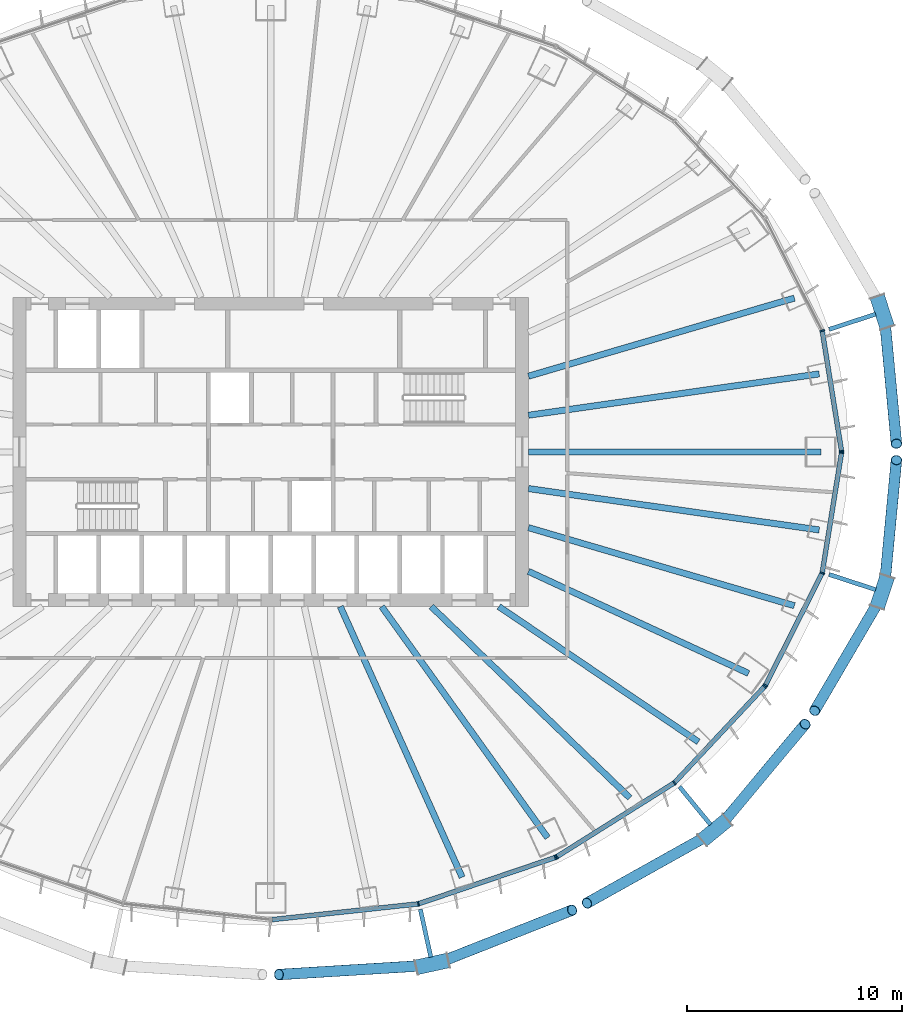
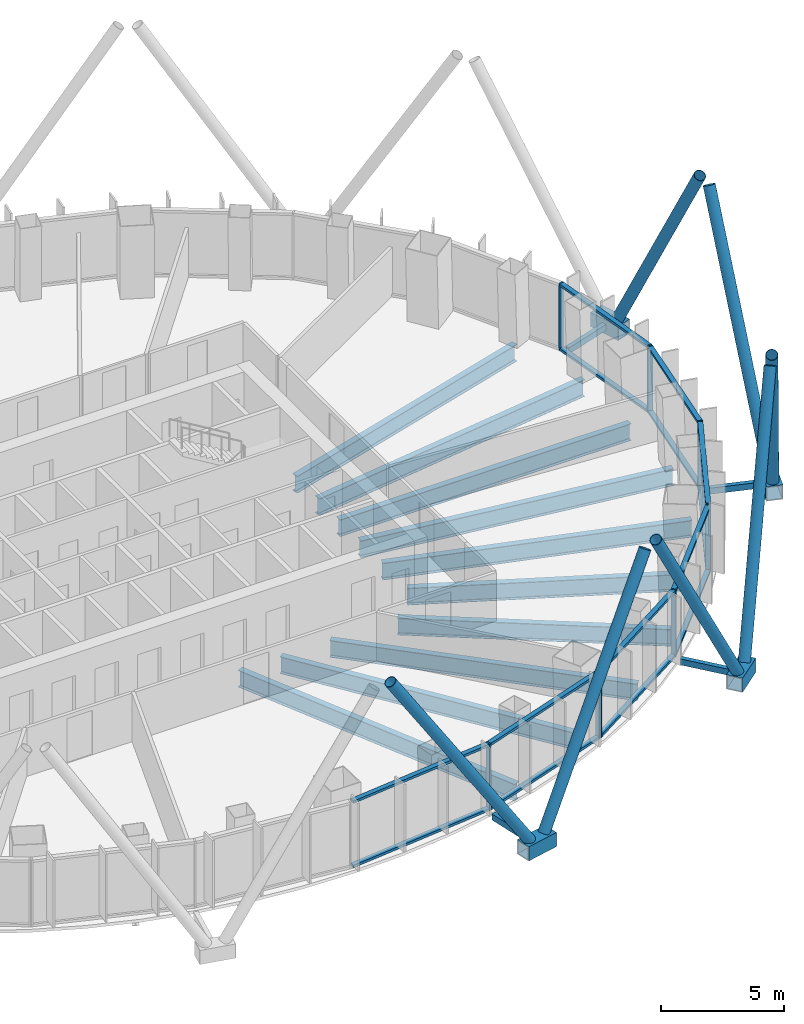
# One storey, part 4 of 18: 39 members, 10 beams, 4 elements without a shape of their own.
"""IFC4 building model written with IfcOpenShell, lengths in metres."""

from ifc_helpers import new_model, si_unit, direction, frame, origin, origin_2d, place, context, subcontext, project, spatial, rectangle, hollow_rectangle, hollow_circle, i_section, extrude, material, layer, layer_set, material_profile, profile_set, type_object, element, aggregate, save


model = new_model("IFC4")

# Units and contexts
model_context = context("Model", 3, precision=1e-05, world=origin(), true_north=direction((0.0, 1.0)))
body_context = subcontext(model_context, "Body", "Model", "MODEL_VIEW")
ifc_project = project(units=[si_unit("LENGTHUNIT", "METRE"), si_unit("AREAUNIT", "SQUARE_METRE"), si_unit("VOLUMEUNIT", "CUBIC_METRE"), si_unit("PLANEANGLEUNIT", "RADIAN"), si_unit("MASSUNIT", "GRAM", prefix="KILO")], contexts=[model_context])

# Site, building, storey
site_placement = place(None, origin())
site = spatial("IfcSite", under=ifc_project, at=site_placement, CompositionType="ELEMENT")
building_placement = place(site_placement, origin())
building = spatial("IfcBuilding", under=site, at=building_placement, Name="Siaravel Broadcast Tower", CompositionType="ELEMENT")
storey_placement = place(building_placement, frame((0.0, 0.0, 81.5)))
storey = spatial("IfcBuildingStorey", under=building, at=storey_placement, Name="L19", CompositionType="ELEMENT", Elevation=81.5)

# Beams
ifc_material_1 = material(Name="Steel S355", Category="steel")
ifc_material_profile_1 = material_profile(ifc_material_1, i_section(OverallWidth=0.291748046875, OverallDepth=0.8349609375, WebThickness=0.013916015625, FlangeThickness=0.018798828125, FilletRadius=0.017822265625, at=origin_2d()))
ifc_profile_set_1 = profile_set([ifc_material_profile_1], Name="Steel S355")
beam_type = type_object("IfcBeamType", Name="BM-UB 838x292x176", PredefinedType="BEAM", material=ifc_profile_set_1)
beam_1_placement = place(storey_placement, frame((25.62158203125, 0.0, -0.5673828125), z_axis=(-1.0, 0.0, 0.0), x_axis=(0.0, -1.0, 0.0)))
element("IfcBeam", 1, at=beam_1_placement, inside=storey, type_object=beam_type, Name="Radial beam RB01", PredefinedType="BEAM", context=body_context, shape_type="SweptSolid", body=[
    extrude(i_section(OverallWidth=0.291748046875, OverallDepth=0.8349609375, WebThickness=0.013916015625, FlangeThickness=0.018798828125, FilletRadius=0.017822265625, at=origin_2d()), origin(), (0.0, 0.0, 1.0), 13.62158203125),
])
beam_2_placement = place(storey_placement, frame((25.533447265625, 3.63232421875, -0.5673828125), z_axis=(-0.990031838, -0.140843741, 0.0), x_axis=(0.140843741, -0.990031838, 0.0)))
element("IfcBeam", 2, at=beam_2_placement, inside=storey, type_object=beam_type, Name="Radial beam RB02", PredefinedType="BEAM", context=body_context, shape_type="SweptSolid", body=[
    extrude(i_section(OverallWidth=0.291748046875, OverallDepth=0.8349609375, WebThickness=0.013916015625, FlangeThickness=0.018798828125, FilletRadius=0.017822265625, at=origin_2d()), origin(), (0.0, 0.0, 1.0), 13.669677734375),
])
beam_3_placement = place(storey_placement, frame((24.37890625, 7.161376953125, -0.5673828125), z_axis=(-0.959457352, -0.281853843, 0.0), x_axis=(0.281853843, -0.959457352, 0.0)))
element("IfcBeam", 3, at=beam_3_placement, inside=storey, type_object=beam_type, Name="Radial beam RB03", PredefinedType="BEAM", context=body_context, shape_type="SweptSolid", body=[
    extrude(i_section(OverallWidth=0.291748046875, OverallDepth=0.8349609375, WebThickness=0.013916015625, FlangeThickness=0.018798828125, FilletRadius=0.017822265625, at=origin_2d()), origin(), (0.0, 0.0, 1.0), 12.902099609375),
])
beam_4_placement = place(storey_placement, frame((8.91064453125, -19.80126953125, -0.5673828125), z_axis=(-0.41036835, 0.911919852, 0.0), x_axis=(-0.911919852, -0.41036835, 0.0)))
element("IfcBeam", 4, at=beam_4_placement, inside=storey, type_object=beam_type, Name="Radial beam RB30", PredefinedType="BEAM", context=body_context, shape_type="SweptSolid", body=[
    extrude(i_section(OverallWidth=0.291748046875, OverallDepth=0.8349609375, WebThickness=0.013916015625, FlangeThickness=0.018798828125, FilletRadius=0.017822265625, at=origin_2d()), origin(), (0.0, 0.0, 1.0), 13.818359375),
])
beam_5_placement = place(storey_placement, frame((12.890380859375, -17.961181640625, -0.5673828125), z_axis=(-0.583051778, 0.812434997, 0.0), x_axis=(-0.812434997, -0.583051778, 0.0)))
element("IfcBeam", 5, at=beam_5_placement, inside=storey, type_object=beam_type, Name="Radial beam RB31", PredefinedType="BEAM", context=body_context, shape_type="SweptSolid", body=[
    extrude(i_section(OverallWidth=0.291748046875, OverallDepth=0.8349609375, WebThickness=0.013916015625, FlangeThickness=0.018798828125, FilletRadius=0.017822265625, at=origin_2d()), origin(), (0.0, 0.0, 1.0), 13.24560546875),
])
beam_6_placement = place(storey_placement, frame((16.72314453125, -16.10791015625, -0.5673828125), z_axis=(-0.72022556, 0.693739968, 0.0), x_axis=(-0.693739968, -0.72022556, 0.0)))
element("IfcBeam", 6, at=beam_6_placement, inside=storey, type_object=beam_type, Name="Radial beam RB32", PredefinedType="BEAM", context=body_context, shape_type="SweptSolid", body=[
    extrude(i_section(OverallWidth=0.291748046875, OverallDepth=0.8349609375, WebThickness=0.013916015625, FlangeThickness=0.018798828125, FilletRadius=0.017822265625, at=origin_2d()), origin(), (0.0, 0.0, 1.0), 12.840576171875),
])
beam_7_placement = place(storey_placement, frame((19.910888671875, -13.496826171875, -0.5673828125), z_axis=(-0.827748229, 0.561099696, 0.0), x_axis=(-0.561099696, -0.827748229, 0.0)))
element("IfcBeam", 7, at=beam_7_placement, inside=storey, type_object=beam_type, Name="Radial beam RB33", PredefinedType="BEAM", context=body_context, shape_type="SweptSolid", body=[
    extrude(i_section(OverallWidth=0.291748046875, OverallDepth=0.8349609375, WebThickness=0.013916015625, FlangeThickness=0.018798828125, FilletRadius=0.017822265625, at=origin_2d()), origin(), (0.0, 0.0, 1.0), 11.222412109375),
])
beam_8_placement = place(storey_placement, frame((22.242431640625, -10.310302734375, -0.5673828125), z_axis=(-0.907266333, 0.420556537, 0.0), x_axis=(-0.420556537, -0.907266333, 0.0)))
element("IfcBeam", 8, at=beam_8_placement, inside=storey, type_object=beam_type, Name="Radial beam RB34", PredefinedType="BEAM", context=body_context, shape_type="SweptSolid", body=[
    extrude(i_section(OverallWidth=0.291748046875, OverallDepth=0.8349609375, WebThickness=0.013916015625, FlangeThickness=0.018798828125, FilletRadius=0.017822265625, at=origin_2d()), origin(), (0.0, 0.0, 1.0), 11.289306640625),
])
beam_9_placement = place(storey_placement, frame((24.37890625, -7.161376953125, -0.5673828125), z_axis=(-0.959457352, 0.281853843, 0.0), x_axis=(-0.281853843, -0.959457352, 0.0)))
element("IfcBeam", 9, at=beam_9_placement, inside=storey, type_object=beam_type, Name="Radial beam RB35", PredefinedType="BEAM", context=body_context, shape_type="SweptSolid", body=[
    extrude(i_section(OverallWidth=0.291748046875, OverallDepth=0.8349609375, WebThickness=0.013916015625, FlangeThickness=0.018798828125, FilletRadius=0.017822265625, at=origin_2d()), origin(), (0.0, 0.0, 1.0), 12.902099609375),
])
beam_10_placement = place(storey_placement, frame((25.533447265625, -3.63232421875, -0.5673828125), z_axis=(-0.990031838, 0.140843741, 0.0), x_axis=(-0.140843741, -0.990031838, 0.0)))
element("IfcBeam", 10, at=beam_10_placement, inside=storey, type_object=beam_type, Name="Radial beam RB36", PredefinedType="BEAM", context=body_context, shape_type="SweptSolid", body=[
    extrude(i_section(OverallWidth=0.291748046875, OverallDepth=0.8349609375, WebThickness=0.013916015625, FlangeThickness=0.018798828125, FilletRadius=0.017822265625, at=origin_2d()), origin(), (0.0, 0.0, 1.0), 13.669677734375),
])

# Curtain wall, members
ifc_material_2 = material(Name="Aluminium 6063-T6", Category="aluminium")
ifc_layer = layer(ifc_material_2, 0.219970703125)
ifc_layer_set = layer_set([ifc_layer], Name="Aluminium 6063-T6")
curtain_wall_type = type_object("IfcCurtainWallType", Name="Unitised curtain wall, zone 1", PredefinedType="NOTDEFINED", material=ifc_layer_set)
curtain_wall_1_placement = place(storey_placement, origin())
curtain_wall_1 = element("IfcCurtainWall", 11, at=curtain_wall_1_placement, inside=storey, type_object=curtain_wall_type, Name="L19 Unitised curtain wall, zone 1 01", PredefinedType="NOTDEFINED")
ifc_material_profile_2 = material_profile(ifc_material_2, rectangle(XDim=0.219970703125, YDim=0.070068359375, at=origin_2d()))
ifc_profile_set_2 = profile_set([ifc_material_profile_2], Name="Aluminium 6063-T6")
member_type_1 = type_object("IfcMemberType", Name="CW-Z1 mullion", PredefinedType="MULLION", material=ifc_profile_set_2)
member_1_placement = place(storey_placement, frame((26.57373046875, 0.03466796875, 0.0), z_axis=(0.0, 0.0, 1.0), x_axis=(-0.987329198, -0.158685394, 0.0)))
member_1 = element("IfcMember", 12, at=member_1_placement, type_object=member_type_1, Name="CW-Z1 mullion 1", PredefinedType="MULLION", context=body_context, shape_type="SweptSolid", body=[
    extrude(rectangle(XDim=0.219970703125, YDim=0.070068359375, at=origin_2d()), origin(), (0.0, 0.0, 1.0), 3.300048828125),
])
member_2_placement = place(storey_placement, frame((25.673095703125, 5.639892578125, 0.0), z_axis=(0.0, 0.0, 1.0), x_axis=(-0.951177293, -0.308645034, 0.0)))
member_2 = element("IfcMember", 13, at=member_2_placement, type_object=member_type_1, Name="CW-Z1 mullion 2", PredefinedType="MULLION", context=body_context, shape_type="SweptSolid", body=[
    extrude(rectangle(XDim=0.219970703125, YDim=0.070068359375, at=origin_2d()), origin(), (0.0, 0.0, 1.0), 3.300048828125),
])

curtain_wall_2_placement = place(storey_placement, origin())
curtain_wall_2 = element("IfcCurtainWall", 14, at=curtain_wall_2_placement, inside=storey, type_object=curtain_wall_type, Name="L19 Unitised curtain wall, zone 1 10", PredefinedType="NOTDEFINED")
member_3_placement = place(storey_placement, frame((6.876953125, -21.0390625, 0.0), z_axis=(0.0, 0.0, 1.0), x_axis=(-0.21555847, 0.976490935, 0.0)))
member_3 = element("IfcMember", 15, at=member_3_placement, type_object=member_type_1, Name="CW-Z1 mullion 2", PredefinedType="MULLION", context=body_context, shape_type="SweptSolid", body=[
    extrude(rectangle(XDim=0.219970703125, YDim=0.070068359375, at=origin_2d()), origin(), (0.0, 0.0, 1.0), 3.300048828125),
])
member_4_placement = place(storey_placement, frame((13.2529296875, -18.875732421875, 0.0), z_axis=(0.0, 0.0, 1.0), x_axis=(-0.321301192, 0.946977056, 0.0)))
member_4 = element("IfcMember", 16, at=member_4_placement, type_object=member_type_1, Name="CW-Z1 mullion 3", PredefinedType="MULLION", context=body_context, shape_type="SweptSolid", body=[
    extrude(rectangle(XDim=0.219970703125, YDim=0.070068359375, at=origin_2d()), origin(), (0.0, 0.0, 1.0), 3.300048828125),
])

curtain_wall_3_placement = place(storey_placement, origin())
curtain_wall_3 = element("IfcCurtainWall", 17, at=curtain_wall_3_placement, inside=storey, type_object=curtain_wall_type, Name="L19 Unitised curtain wall, zone 1 11", PredefinedType="NOTDEFINED")
member_5_placement = place(storey_placement, frame((13.315673828125, -18.845703125, 0.0), z_axis=(0.0, 0.0, 1.0), x_axis=(-0.532149888, 0.846650162, 0.0)))
member_5 = element("IfcMember", 18, at=member_5_placement, type_object=member_type_1, Name="CW-Z1 mullion 1", PredefinedType="MULLION", context=body_context, shape_type="SweptSolid", body=[
    extrude(rectangle(XDim=0.219970703125, YDim=0.070068359375, at=origin_2d()), origin(), (0.0, 0.0, 1.0), 3.300048828125),
])
member_6_placement = place(storey_placement, frame((18.790771484375, -15.404541015625, 0.0), z_axis=(0.0, 0.0, 1.0), x_axis=(-0.636219201, 0.771508346, 0.0)))
member_6 = element("IfcMember", 19, at=member_6_placement, type_object=member_type_1, Name="CW-Z1 mullion 2", PredefinedType="MULLION", context=body_context, shape_type="SweptSolid", body=[
    extrude(rectangle(XDim=0.219970703125, YDim=0.070068359375, at=origin_2d()), origin(), (0.0, 0.0, 1.0), 3.300048828125),
])
member_7_placement = place(storey_placement, frame((22.9921875, -10.919677734375, 0.0), z_axis=(0.0, 0.0, 1.0), x_axis=(-0.729805713, 0.683654607, 0.0)))
member_7 = element("IfcMember", 20, at=member_7_placement, type_object=member_type_1, Name="CW-Z1 mullion 3", PredefinedType="MULLION", context=body_context, shape_type="SweptSolid", body=[
    extrude(rectangle(XDim=0.219970703125, YDim=0.070068359375, at=origin_2d()), origin(), (0.0, 0.0, 1.0), 3.300048828125),
])

curtain_wall_4_placement = place(storey_placement, origin())
curtain_wall_4 = element("IfcCurtainWall", 21, at=curtain_wall_4_placement, inside=storey, type_object=curtain_wall_type, Name="L19 Unitised curtain wall, zone 1 12", PredefinedType="NOTDEFINED")
member_8_placement = place(storey_placement, frame((23.03173828125, -10.86279296875, 0.0), z_axis=(0.0, 0.0, 1.0), x_axis=(-0.892392264, 0.45126051, 0.0)))
member_8 = element("IfcMember", 22, at=member_8_placement, type_object=member_type_1, Name="CW-Z1 mullion 1", PredefinedType="MULLION", context=body_context, shape_type="SweptSolid", body=[
    extrude(rectangle(XDim=0.219970703125, YDim=0.070068359375, at=origin_2d()), origin(), (0.0, 0.0, 1.0), 3.300048828125),
])
member_9_placement = place(storey_placement, frame((25.673095703125, -5.639892578125, 0.0), z_axis=(0.0, 0.0, 1.0), x_axis=(-0.951177293, 0.308645034, 0.0)))
member_9 = element("IfcMember", 23, at=member_9_placement, type_object=member_type_1, Name="CW-Z1 mullion 2", PredefinedType="MULLION", context=body_context, shape_type="SweptSolid", body=[
    extrude(rectangle(XDim=0.219970703125, YDim=0.070068359375, at=origin_2d()), origin(), (0.0, 0.0, 1.0), 3.300048828125),
])
member_10_placement = place(storey_placement, frame((26.57373046875, -0.03466796875, 0.0), z_axis=(0.0, 0.0, 1.0), x_axis=(-0.987329198, 0.158685394, 0.0)))
member_10 = element("IfcMember", 24, at=member_10_placement, type_object=member_type_1, Name="CW-Z1 mullion 3", PredefinedType="MULLION", context=body_context, shape_type="SweptSolid", body=[
    extrude(rectangle(XDim=0.219970703125, YDim=0.070068359375, at=origin_2d()), origin(), (0.0, 0.0, 1.0), 3.300048828125),
])

# Member
ifc_material_profile_3 = material_profile(ifc_material_2, rectangle(XDim=0.219970703125, YDim=0.1201171875, at=origin_2d()))
ifc_profile_set_3 = profile_set([ifc_material_profile_3], Name="Aluminium 6063-T6")
member_type_2 = type_object("IfcMemberType", Name="CW-Z1 transom", PredefinedType="USERDEFINED", material=ifc_profile_set_3)
member_11_placement = place(storey_placement, frame((26.568359375, 0.069091796875, 0.06005859375), z_axis=(-0.158705381, 0.987325986, 0.0), x_axis=(-0.987325986, -0.158705381, 0.0)))
member_11 = element("IfcMember", 25, at=member_11_placement, type_object=member_type_2, Name="CW-Z1 transom 1", ObjectType="TRANSOM", PredefinedType="USERDEFINED", context=body_context, shape_type="SweptSolid", body=[
    extrude(rectangle(XDim=0.219970703125, YDim=0.1201171875, at=origin_2d()), origin(), (0.0, 0.0, 1.0), 5.607177734375),
])

member_12_placement = place(storey_placement, frame((26.568359375, 0.069091796875, 3.239990234375), z_axis=(-0.158705381, 0.987325986, 0.0), x_axis=(-0.987325986, -0.158705381, 0.0)))
member_12 = element("IfcMember", 26, at=member_12_placement, type_object=member_type_2, Name="CW-Z1 transom 1", ObjectType="TRANSOM", PredefinedType="USERDEFINED", context=body_context, shape_type="SweptSolid", body=[
    extrude(rectangle(XDim=0.219970703125, YDim=0.1201171875, at=origin_2d()), origin(), (0.0, 0.0, 1.0), 5.607177734375),
])

aggregate(curtain_wall_1, [member_1, member_2, member_11, member_12])

member_13_placement = place(storey_placement, frame((0.069580078125, -21.773193359375, 0.06005859375), z_axis=(0.994233929, 0.107232901, 0.0), x_axis=(-0.107232901, 0.994233929, 0.0)))
member_13 = element("IfcMember", 27, at=member_13_placement, type_object=member_type_2, Name="CW-Z1 transom 1", ObjectType="TRANSOM", PredefinedType="USERDEFINED", context=body_context, shape_type="SweptSolid", body=[
    extrude(rectangle(XDim=0.219970703125, YDim=0.1201171875, at=origin_2d()), origin(), (0.0, 0.0, 1.0), 6.81201171875),
])

member_14_placement = place(storey_placement, frame((0.069580078125, -21.773193359375, 3.239990234375), z_axis=(0.994233929, 0.107232901, 0.0), x_axis=(-0.107232901, 0.994233929, 0.0)))
member_14 = element("IfcMember", 28, at=member_14_placement, type_object=member_type_2, Name="CW-Z1 transom 1", ObjectType="TRANSOM", PredefinedType="USERDEFINED", context=body_context, shape_type="SweptSolid", body=[
    extrude(rectangle(XDim=0.219970703125, YDim=0.1201171875, at=origin_2d()), origin(), (0.0, 0.0, 1.0), 6.81201171875),
])

member_15_placement = place(storey_placement, frame((6.91015625, -21.027587890625, 0.06005859375), z_axis=(0.946984275, 0.321279915, 0.0), x_axis=(-0.321279915, 0.946984275, 0.0)))
member_15 = element("IfcMember", 29, at=member_15_placement, type_object=member_type_2, Name="CW-Z1 transom 2", ObjectType="TRANSOM", PredefinedType="USERDEFINED", context=body_context, shape_type="SweptSolid", body=[
    extrude(rectangle(XDim=0.219970703125, YDim=0.1201171875, at=origin_2d()), origin(), (0.0, 0.0, 1.0), 6.662841796875),
])

member_16_placement = place(storey_placement, frame((6.91015625, -21.027587890625, 3.239990234375), z_axis=(0.946984275, 0.321279915, 0.0), x_axis=(-0.321279915, 0.946984275, 0.0)))
member_16 = element("IfcMember", 30, at=member_16_placement, type_object=member_type_2, Name="CW-Z1 transom 2", ObjectType="TRANSOM", PredefinedType="USERDEFINED", context=body_context, shape_type="SweptSolid", body=[
    extrude(rectangle(XDim=0.219970703125, YDim=0.1201171875, at=origin_2d()), origin(), (0.0, 0.0, 1.0), 6.662841796875),
])

aggregate(curtain_wall_2, [member_3, member_4, member_13, member_14, member_15, member_16])

member_17_placement = place(storey_placement, frame((13.34521484375, -18.8271484375, 0.06005859375), z_axis=(0.846657675, 0.532137935, 0.0), x_axis=(-0.532137935, 0.846657675, 0.0)))
member_17 = element("IfcMember", 31, at=member_17_placement, type_object=member_type_2, Name="CW-Z1 transom 1", ObjectType="TRANSOM", PredefinedType="USERDEFINED", context=body_context, shape_type="SweptSolid", body=[
    extrude(rectangle(XDim=0.219970703125, YDim=0.1201171875, at=origin_2d()), origin(), (0.0, 0.0, 1.0), 6.39697265625),
])

member_18_placement = place(storey_placement, frame((13.34521484375, -18.8271484375, 3.239990234375), z_axis=(0.846657675, 0.532137935, 0.0), x_axis=(-0.532137935, 0.846657675, 0.0)))
member_18 = element("IfcMember", 32, at=member_18_placement, type_object=member_type_2, Name="CW-Z1 transom 1", ObjectType="TRANSOM", PredefinedType="USERDEFINED", context=body_context, shape_type="SweptSolid", body=[
    extrude(rectangle(XDim=0.219970703125, YDim=0.1201171875, at=origin_2d()), origin(), (0.0, 0.0, 1.0), 6.39697265625),
])

member_19_placement = place(storey_placement, frame((18.814697265625, -15.37890625, 0.06005859375), z_axis=(0.683663028, 0.729797824, 0.0), x_axis=(-0.729797824, 0.683663028, 0.0)))
member_19 = element("IfcMember", 33, at=member_19_placement, type_object=member_type_2, Name="CW-Z1 transom 2", ObjectType="TRANSOM", PredefinedType="USERDEFINED", context=body_context, shape_type="SweptSolid", body=[
    extrude(rectangle(XDim=0.219970703125, YDim=0.1201171875, at=origin_2d()), origin(), (0.0, 0.0, 1.0), 6.0751953125),
])

member_20_placement = place(storey_placement, frame((18.814697265625, -15.37890625, 3.239990234375), z_axis=(0.683663028, 0.729797824, 0.0), x_axis=(-0.729797824, 0.683663028, 0.0)))
member_20 = element("IfcMember", 34, at=member_20_placement, type_object=member_type_2, Name="CW-Z1 transom 2", ObjectType="TRANSOM", PredefinedType="USERDEFINED", context=body_context, shape_type="SweptSolid", body=[
    extrude(rectangle(XDim=0.219970703125, YDim=0.1201171875, at=origin_2d()), origin(), (0.0, 0.0, 1.0), 6.0751953125),
])

aggregate(curtain_wall_3, [member_5, member_6, member_7, member_17, member_18, member_19, member_20])

member_21_placement = place(storey_placement, frame((23.047607421875, -10.83154296875, 0.06005859375), z_axis=(0.451278877, 0.892382976, 0.0), x_axis=(-0.892382976, 0.451278877, 0.0)))
member_21 = element("IfcMember", 35, at=member_21_placement, type_object=member_type_2, Name="CW-Z1 transom 1", ObjectType="TRANSOM", PredefinedType="USERDEFINED", context=body_context, shape_type="SweptSolid", body=[
    extrude(rectangle(XDim=0.219970703125, YDim=0.1201171875, at=origin_2d()), origin(), (0.0, 0.0, 1.0), 5.78271484375),
])

member_22_placement = place(storey_placement, frame((23.047607421875, -10.83154296875, 3.239990234375), z_axis=(0.451278877, 0.892382976, 0.0), x_axis=(-0.892382976, 0.451278877, 0.0)))
member_22 = element("IfcMember", 36, at=member_22_placement, type_object=member_type_2, Name="CW-Z1 transom 1", ObjectType="TRANSOM", PredefinedType="USERDEFINED", context=body_context, shape_type="SweptSolid", body=[
    extrude(rectangle(XDim=0.219970703125, YDim=0.1201171875, at=origin_2d()), origin(), (0.0, 0.0, 1.0), 5.78271484375),
])

member_23_placement = place(storey_placement, frame((25.678466796875, -5.605224609375, 0.06005859375), z_axis=(0.158705381, 0.987325986, 0.0), x_axis=(-0.987325986, 0.158705381, 0.0)))
member_23 = element("IfcMember", 37, at=member_23_placement, type_object=member_type_2, Name="CW-Z1 transom 2", ObjectType="TRANSOM", PredefinedType="USERDEFINED", context=body_context, shape_type="SweptSolid", body=[
    extrude(rectangle(XDim=0.219970703125, YDim=0.1201171875, at=origin_2d()), origin(), (0.0, 0.0, 1.0), 5.607177734375),
])

member_24_placement = place(storey_placement, frame((25.678466796875, -5.605224609375, 3.239990234375), z_axis=(0.158705381, 0.987325986, 0.0), x_axis=(-0.987325986, 0.158705381, 0.0)))
member_24 = element("IfcMember", 38, at=member_24_placement, type_object=member_type_2, Name="CW-Z1 transom 2", ObjectType="TRANSOM", PredefinedType="USERDEFINED", context=body_context, shape_type="SweptSolid", body=[
    extrude(rectangle(XDim=0.219970703125, YDim=0.1201171875, at=origin_2d()), origin(), (0.0, 0.0, 1.0), 5.607177734375),
])

aggregate(curtain_wall_4, [member_8, member_9, member_10, member_21, member_22, member_23, member_24])

# Members
ifc_material_3 = material(Name="Steel S460", Category="steel")
ifc_material_profile_4 = material_profile(ifc_material_3, hollow_circle(Radius=0.25390625, WallThickness=0.02001953125, at=origin_2d()))
ifc_profile_set_4 = profile_set([ifc_material_profile_4], Name="Steel S460")
member_type_3 = type_object("IfcMemberType", Name="Diagrid diagonal CHS 508x20", PredefinedType="BRACE", material=ifc_profile_set_4)
member_25_placement = place(storey_placement, frame((28.585693359375, 6.153564453125, 0.1201171875), z_axis=(0.045459037, -0.482780285, 0.874560845), x_axis=(0.995596123, 0.09374625, 0.0)))
element("IfcMember", 39, at=member_25_placement, inside=storey, type_object=member_type_3, Name="Diagrid diagonal R08 station 03C", PredefinedType="BRACE", context=body_context, shape_type="SweptSolid", body=[
    extrude(hollow_circle(Radius=0.25390625, WallThickness=0.02001953125, at=origin_2d()), origin(), (0.0, 0.0, 1.0), 11.960205078125),
])
member_26_placement = place(storey_placement, frame((7.152587890625, -23.9150390625, 0.1201171875), z_axis=(-0.543231205, -0.033326587, 0.838921448), x_axis=(0.061233685, -0.998123457, 0.0)))
element("IfcMember", 40, at=member_26_placement, inside=storey, type_object=member_type_3, Name="Diagrid diagonal R08 station 57C", PredefinedType="BRACE", context=body_context, shape_type="SweptSolid", body=[
    extrude(hollow_circle(Radius=0.25390625, WallThickness=0.02001953125, at=origin_2d()), origin(), (0.0, 0.0, 1.0), 12.46826171875),
])
member_27_placement = place(storey_placement, frame((7.893798828125, -23.75244140625, 0.1201171875), z_axis=(0.496402038, 0.195722202, 0.845740999), x_axis=(-0.366800108, 0.93029978, 0.0)))
element("IfcMember", 41, at=member_27_placement, inside=storey, type_object=member_type_3, Name="Diagrid diagonal R08 station 57A", PredefinedType="BRACE", context=body_context, shape_type="SweptSolid", body=[
    extrude(hollow_circle(Radius=0.25390625, WallThickness=0.02001953125, at=origin_2d()), origin(), (0.0, 0.0, 1.0), 12.367919921875),
])
member_28_placement = place(storey_placement, frame((20.384765625, -17.840087890625, 0.1201171875), z_axis=(-0.460228971, -0.257304605, 0.849696201), x_axis=(0.487991636, -0.872848305, 0.0)))
element("IfcMember", 42, at=member_28_placement, inside=storey, type_object=member_type_3, Name="Diagrid diagonal R08 station 63C", PredefinedType="BRACE", context=body_context, shape_type="SweptSolid", body=[
    extrude(hollow_circle(Radius=0.25390625, WallThickness=0.02001953125, at=origin_2d()), origin(), (0.0, 0.0, 1.0), 12.310302734375),
])
member_29_placement = place(storey_placement, frame((20.9716796875, -17.359375, 0.1201171875), z_axis=(0.322860874, 0.386949211, 0.863730956), x_axis=(-0.767827657, 0.640656451, 0.0)))
element("IfcMember", 43, at=member_29_placement, inside=storey, type_object=member_type_3, Name="Diagrid diagonal R08 station 63A", PredefinedType="BRACE", context=body_context, shape_type="SweptSolid", body=[
    extrude(hollow_circle(Radius=0.25390625, WallThickness=0.02001953125, at=origin_2d()), origin(), (0.0, 0.0, 1.0), 12.110107421875),
])
member_30_placement = place(storey_placement, frame((28.349609375, -6.874755859375, 0.1201171875), z_axis=(-0.251335725, -0.429420874, 0.867426116), x_axis=(0.863043025, -0.505130416, 0.0)))
element("IfcMember", 44, at=member_30_placement, inside=storey, type_object=member_type_3, Name="Diagrid diagonal R08 station 69C", PredefinedType="BRACE", context=body_context, shape_type="SweptSolid", body=[
    extrude(hollow_circle(Radius=0.25390625, WallThickness=0.02001953125, at=origin_2d()), origin(), (0.0, 0.0, 1.0), 12.05859375),
])
member_31_placement = place(storey_placement, frame((28.585693359375, -6.153564453125, 0.1201171875), z_axis=(0.045459037, 0.482780285, 0.874560845), x_axis=(-0.995596123, 0.09374625, 0.0)))
element("IfcMember", 45, at=member_31_placement, inside=storey, type_object=member_type_3, Name="Diagrid diagonal R08 station 69A", PredefinedType="BRACE", context=body_context, shape_type="SweptSolid", body=[
    extrude(hollow_circle(Radius=0.25390625, WallThickness=0.02001953125, at=origin_2d()), origin(), (0.0, 0.0, 1.0), 11.960205078125),
])
ifc_material_profile_5 = material_profile(ifc_material_3, hollow_rectangle(XDim=0.699951171875, YDim=0.699951171875, WallThickness=0.0400390625, at=origin_2d()))
ifc_profile_set_5 = profile_set([ifc_material_profile_5], Name="Steel S460")
member_type_4 = type_object("IfcMemberType", Name="Diagrid node BOX 700x700x40", PredefinedType="USERDEFINED", material=ifc_profile_set_5)
for number, where, z_axis, x_axis, name in (
    (46, (28.701904296875, 5.798095703125, -0.199951171875), (-0.31092464, 0.950434568, 0.0), (-0.950434568, -0.31092464, 0.0), "Diagrid node R08 station 03"),
    (47, (6.787109375, -23.9951171875, -0.199951171875), (0.976759236, 0.214339438, 0.0), (-0.214339438, 0.976759236, 0.0), "Diagrid node R08 station 57"),
):
    element("IfcMember", number, at=place(storey_placement, frame(where, z_axis=z_axis, x_axis=x_axis)), inside=storey, type_object=member_type_4, Name=name, ObjectType="DIAGRID NODE", PredefinedType="USERDEFINED", context=body_context, shape_type="SweptSolid", body=[
        extrude(hollow_rectangle(XDim=0.699951171875, YDim=0.699951171875, WallThickness=0.0400390625, at=origin_2d()), origin(), (0.0, 0.0, 1.0), 1.5068359375),
    ])
member_32_placement = place(storey_placement, frame((20.095458984375, -18.0771484375, -0.199951171875), z_axis=(0.773560079, 0.633722972, 0.0), x_axis=(-0.633722972, 0.773560079, 0.0)))
element("IfcMember", 48, at=member_32_placement, inside=storey, type_object=member_type_4, Name="Diagrid node R08 station 63", ObjectType="DIAGRID NODE", PredefinedType="USERDEFINED", context=body_context, shape_type="SweptSolid", body=[
    extrude(hollow_rectangle(XDim=0.699951171875, YDim=0.699951171875, WallThickness=0.0400390625, at=origin_2d()), origin(), (0.0, 0.0, 1.0), 1.506591796875),
])
member_33_placement = place(storey_placement, frame((28.2333984375, -7.230224609375, -0.199951171875), z_axis=(0.31092464, 0.950434568, 0.0), x_axis=(-0.950434568, 0.31092464, 0.0)))
element("IfcMember", 49, at=member_33_placement, inside=storey, type_object=member_type_4, Name="Diagrid node R08 station 69", ObjectType="DIAGRID NODE", PredefinedType="USERDEFINED", context=body_context, shape_type="SweptSolid", body=[
    extrude(hollow_rectangle(XDim=0.699951171875, YDim=0.699951171875, WallThickness=0.0400390625, at=origin_2d()), origin(), (0.0, 0.0, 1.0), 1.5068359375),
])
ifc_material_profile_6 = material_profile(ifc_material_3, hollow_rectangle(XDim=0.199951171875, YDim=0.300048828125, WallThickness=0.012451171875, at=origin_2d()))
ifc_profile_set_6 = profile_set([ifc_material_profile_6], Name="Steel S460")
member_type_5 = type_object("IfcMemberType", Name="Diagrid node arm RHS 300x200x12.5", PredefinedType="STRUT", material=ifc_profile_set_6)
member_34_placement = place(storey_placement, frame((25.99658203125, 5.705810546875, -0.199951171875), z_axis=(0.950456392, 0.310857921, 0.0), x_axis=(-0.310857921, 0.950456392, 0.0)))
element("IfcMember", 50, at=member_34_placement, inside=storey, type_object=member_type_5, Name="Node arm R08 station 03", PredefinedType="STRUT", context=body_context, shape_type="SweptSolid", body=[
    extrude(hollow_rectangle(XDim=0.199951171875, YDim=0.300048828125, WallThickness=0.012451171875, at=origin_2d()), origin(), (0.0, 0.0, 1.0), 2.280029296875),
])
member_35_placement = place(storey_placement, frame((6.9658203125, -21.294189453125, -0.199951171875), z_axis=(0.214389852, -0.976748172, 0.0), x_axis=(0.976748172, 0.214389852, 0.0)))
element("IfcMember", 51, at=member_35_placement, inside=storey, type_object=member_type_5, Name="Node arm R08 station 57", PredefinedType="STRUT", context=body_context, shape_type="SweptSolid", body=[
    extrude(hollow_rectangle(XDim=0.199951171875, YDim=0.300048828125, WallThickness=0.012451171875, at=origin_2d()), origin(), (0.0, 0.0, 1.0), 2.27978515625),
])
for number, where, z_axis, x_axis, name in (
    (52, (19.03076171875, -15.58837890625, -0.199951171875), (0.63366334, -0.773608927, 0.0), (0.773608927, 0.63366334, 0.0), "Node arm R08 station 63"),
    (53, (25.99658203125, -5.705810546875, -0.199951171875), (0.950456392, -0.310857921, 0.0), (0.310857921, 0.950456392, 0.0), "Node arm R08 station 69"),
):
    element("IfcMember", number, at=place(storey_placement, frame(where, z_axis=z_axis, x_axis=x_axis)), inside=storey, type_object=member_type_5, Name=name, PredefinedType="STRUT", context=body_context, shape_type="SweptSolid", body=[
        extrude(hollow_rectangle(XDim=0.199951171875, YDim=0.300048828125, WallThickness=0.012451171875, at=origin_2d()), origin(), (0.0, 0.0, 1.0), 2.280029296875),
    ])

save(model, "model.ifc")
